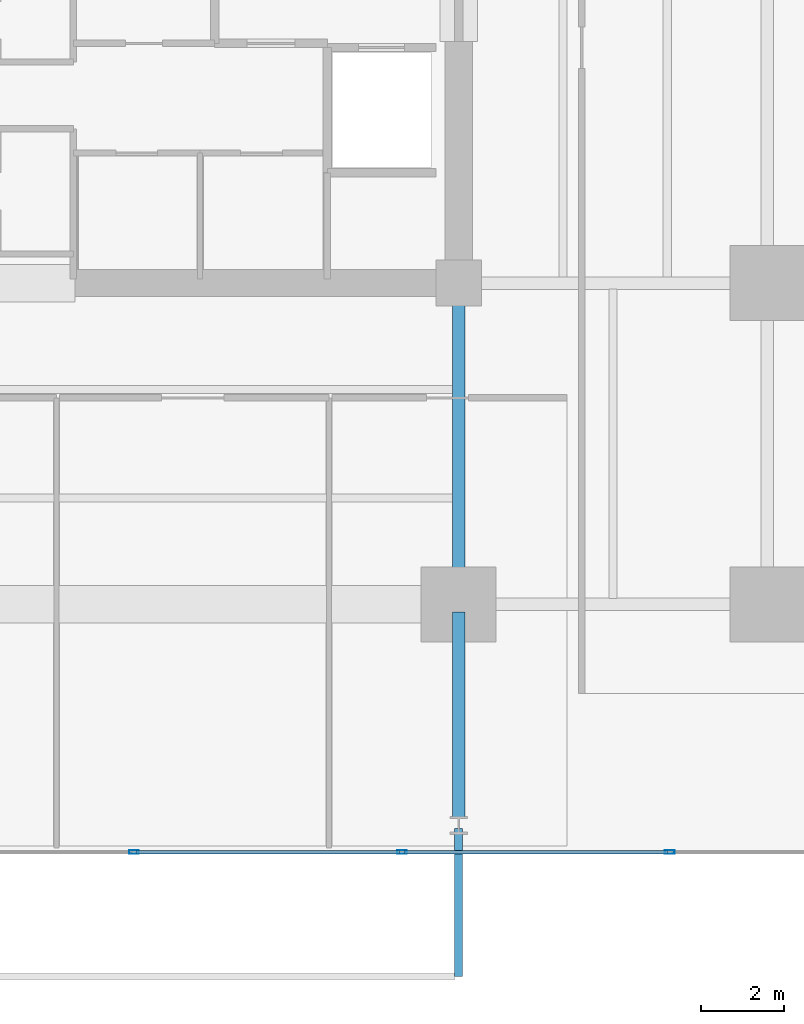
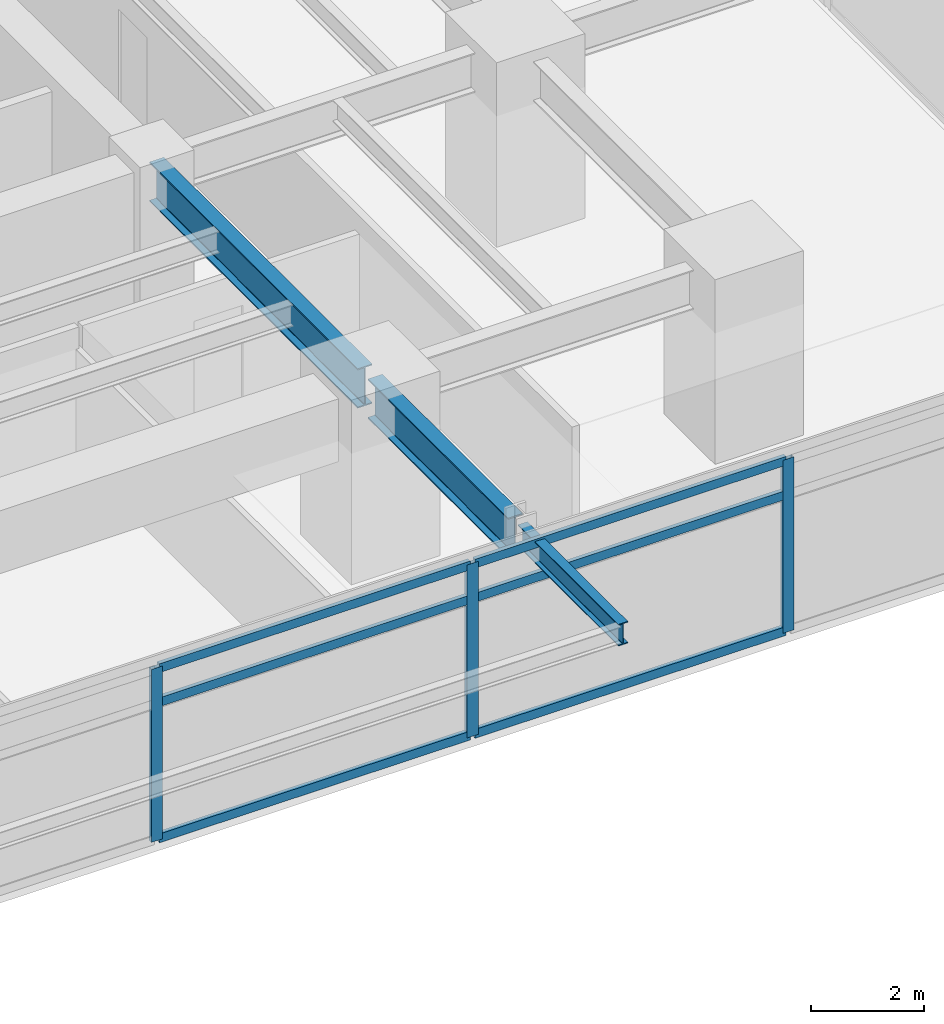
# One storey, part 5 of 19: 9 members, 3 beams, 1 element without a shape of its own.
"""IFC4 building model written with IfcOpenShell, lengths in metres."""

import ifcopenshell
import ifcopenshell.guid

model = None  # the IFC model being written
_history = None  # IfcOwnerHistory: only IFC2X3 demands one
_inside = {}  # id of a spatial element -> (the spatial element, [elements in it])
_under = {}  # id of a project, library or spatial element -> (it, [spatial elements below it])
_declared = {}  # id of a project -> (the project, [libraries it declares])
_typed = {}  # id of a type object -> (the type object, [elements of that type])
_made_of = {}  # id of a material, layer set ... -> (it, [elements and type objects made of it])


def new_model(schema):
    """Start an empty IFC model of exactly this schema.

    Asked for "IFC4X3", IfcOpenShell would pick the latest addendum, in which some entities
    have other attributes; the version numbers below select the first issue.
    IFC2X3 requires an IfcOwnerHistory on every rooted entity: one is made here for all.
    """
    global model, _history
    if schema == "IFC4X3":
        model = ifcopenshell.file(schema_version=(4, 3, 0, 0))
    else:
        model = ifcopenshell.file(schema=schema)
    _inside.clear()
    _under.clear()
    _declared.clear()
    _typed.clear()
    _made_of.clear()
    _history = None
    if model.schema == "IFC2X3":
        org = make("IfcOrganization", Name="unknown")
        user = make(
            "IfcPersonAndOrganization",
            ThePerson=make("IfcPerson", FamilyName="unknown"),
            TheOrganization=org,
        )
        app = make(
            "IfcApplication",
            ApplicationDeveloper=org,
            Version="unknown",
            ApplicationFullName="unknown",
            ApplicationIdentifier="unknown",
        )
        _history = make(
            "IfcOwnerHistory",
            OwningUser=user,
            OwningApplication=app,
            ChangeAction="ADDED",
            CreationDate=0,
        )
    return model


def make(cls, **values):
    """One entity of the class cls with the attributes given. An attribute that is None is left unset."""
    return model.create_entity(
        cls, **{name: value for name, value in values.items() if value is not None}
    )


def rooted(cls, **values):
    """An entity with a GlobalId (a new one), such as an element, a storey or a relation."""
    return make(cls, GlobalId=ifcopenshell.guid.new(), OwnerHistory=_history, **values)


def si_unit(unit_type, name, prefix=None):
    """IfcSIUnit, for example si_unit("LENGTHUNIT", "METRE", prefix="MILLI")."""
    return make("IfcSIUnit", UnitType=unit_type, Prefix=prefix, Name=name)


def assignment(units):
    """IfcUnitAssignment: the units of a project."""
    return None if units is None else make("IfcUnitAssignment", Units=units)


def point(xyz):
    """IfcCartesianPoint."""
    return None if xyz is None else make("IfcCartesianPoint", Coordinates=xyz)


def direction(xyz):
    """IfcDirection."""
    return None if xyz is None else make("IfcDirection", DirectionRatios=xyz)


def frame(location, z_axis=None, x_axis=None):
    """IfcAxis2Placement3D, a coordinate frame: its origin and axes. An axis left out is left unset."""
    return make(
        "IfcAxis2Placement3D",
        Location=point(location),
        Axis=direction(z_axis),
        RefDirection=direction(x_axis),
    )


def frame_2d(location, x_axis=None):
    """IfcAxis2Placement2D, a coordinate frame in the plane: its origin and x axis."""
    return make(
        "IfcAxis2Placement2D", Location=point(location), RefDirection=direction(x_axis)
    )


def origin():
    """The frame at (0, 0, 0) with its axes left unset."""
    return frame((0.0, 0.0, 0.0))


def origin_2d():
    """The frame at (0, 0) in the plane with its x axis left unset."""
    return frame_2d((0.0, 0.0))


def place(relative_to, where):
    """IfcLocalPlacement: puts the frame where relative to a parent placement (None: the world)."""
    return make(
        "IfcLocalPlacement", PlacementRelTo=relative_to, RelativePlacement=where
    )


def context(
    kind, dimensions, precision=None, world=None, true_north=None, identifier=None
):
    """IfcGeometricRepresentationContext, for example the 3D "Model" context."""
    return make(
        "IfcGeometricRepresentationContext",
        ContextIdentifier=identifier,
        ContextType=kind,
        CoordinateSpaceDimension=dimensions,
        Precision=precision,
        WorldCoordinateSystem=world,
        TrueNorth=true_north,
    )


def subcontext(parent, identifier, kind, view, scale=None):
    """IfcGeometricRepresentationSubContext, for example "Body" below "Model"."""
    return make(
        "IfcGeometricRepresentationSubContext",
        ContextIdentifier=identifier,
        ContextType=kind,
        ParentContext=parent,
        TargetScale=scale,
        TargetView=view,
    )


def project(units=None, contexts=None):
    """IfcProject with its units and contexts."""
    return rooted(
        "IfcProject",
        Name="project",
        RepresentationContexts=contexts,
        UnitsInContext=assignment(units),
    )


def spatial(cls, under=None, at=None, **own):
    """A site, building, storey or space (cls), placed at a placement, below another one or the project."""
    s = rooted(cls, ObjectPlacement=at, **own)
    if under is not None:
        _under.setdefault(under.id(), (under, []))[1].append(s)
    return s


def profile(cls, at=None, kind="AREA", **sizes):
    """A parametric profile (cls). Its sizes go by their IFC names, for example OverallWidth=200.0."""
    return make(cls, ProfileType=kind, Position=at, **sizes)


def hollow_rectangle(**sizes):
    """IfcRectangleHollowProfileDef."""
    return profile("IfcRectangleHollowProfileDef", **sizes)


def i_section(**sizes):
    """IfcIShapeProfileDef."""
    return profile("IfcIShapeProfileDef", **sizes)


def extrude(swept, where, along, depth):
    """IfcExtrudedAreaSolid: the profile swept, set in the frame where, extruded along a direction by depth."""
    return make(
        "IfcExtrudedAreaSolid",
        SweptArea=swept,
        Position=where,
        ExtrudedDirection=direction(along),
        Depth=depth,
    )


def shape(context_of_items, identifier, shape_type, items):
    """IfcShapeRepresentation: the items that make up one representation, for example the "Body"."""
    return make(
        "IfcShapeRepresentation",
        ContextOfItems=context_of_items,
        RepresentationIdentifier=identifier,
        RepresentationType=shape_type,
        Items=items,
    )


def material(Name=None, Category=None):
    """IfcMaterial."""
    return make("IfcMaterial", Name=Name, Category=Category)


def material_profile(
    of_material, cross_section, Name=None, Category=None, Priority=None
):
    """IfcMaterialProfile: a cross section and its material."""
    return make(
        "IfcMaterialProfile",
        Name=Name,
        Material=of_material,
        Profile=cross_section,
        Priority=Priority,
        Category=Category,
    )


def profile_set(profiles, Name=None, composite=None):
    """IfcMaterialProfileSet."""
    return make(
        "IfcMaterialProfileSet",
        Name=Name,
        MaterialProfiles=profiles,
        CompositeProfile=composite,
    )


def made_of(thing, what):
    """Note that an element or type object is made of a material, layer set ...; save() writes the relation."""
    if what is not None:
        _made_of.setdefault(what.id(), (what, []))[1].append(thing)
    return thing


def type_object(cls, material=None, **own):
    """A type object (cls), such as IfcWallType, which elements share."""
    return made_of(rooted(cls, **own), material)


def element(
    cls,
    number,
    at=None,
    inside=None,
    cuts=None,
    type_object=None,
    material=None,
    context=None,
    identifier="Body",
    shape_type=None,
    held_by="IfcProductDefinitionShape",
    body=None,
    shapes=None,
    **own,
):
    """One element of the class cls, such as IfcWall. Its Tag is "e" and its number.

    at: its placement. inside: the storey or other place that contains it. cuts: it is an
    opening in that element (IfcRelVoidsElement). A single representation is given by context,
    identifier, shape_type and body (its items); several are given by shapes. held_by: the class
    of the entity that holds the representations. save() writes the other relations.
    """
    e = rooted(cls, Tag="e%d" % number, ObjectPlacement=at, **own)
    if body is not None:
        shapes = [shape(context, identifier, shape_type, body)]
    if shapes is not None:
        e.Representation = make(held_by, Representations=shapes)
    if inside is not None:
        _inside.setdefault(inside.id(), (inside, []))[1].append(e)
    if cuts is not None:
        rooted(
            "IfcRelVoidsElement", RelatingBuildingElement=cuts, RelatedOpeningElement=e
        )
    if type_object is not None:
        _typed.setdefault(type_object.id(), (type_object, []))[1].append(e)
    return made_of(e, material)


def aggregate(whole, parts):
    """IfcRelAggregates: a whole, such as a stair, and the parts it consists of."""
    return rooted("IfcRelAggregates", RelatingObject=whole, RelatedObjects=parts)


def save(model, path):
    """Write the relations noted so far, then the file.

    IfcRelAggregates (storeys below a building ...), IfcRelContainedInSpatialStructure (elements
    in a storey), IfcRelDefinesByType, IfcRelAssociatesMaterial and IfcRelDeclares: one each for
    every whole, place, type object, material and project.
    """
    for whole, parts in _under.values():
        aggregate(whole, parts)
    for where, things in _inside.values():
        rooted(
            "IfcRelContainedInSpatialStructure",
            RelatedElements=things,
            RelatingStructure=where,
        )
    for kind, things in _typed.values():
        rooted("IfcRelDefinesByType", RelatedObjects=things, RelatingType=kind)
    for what, things in _made_of.values():
        rooted("IfcRelAssociatesMaterial", RelatedObjects=things, RelatingMaterial=what)
    for by, libraries in _declared.values():
        rooted("IfcRelDeclares", RelatingContext=by, RelatedDefinitions=libraries)
    model.write(path)


model = new_model("IFC4")

# Units and contexts
model_context = context("Model", 3, precision=1e-05, world=origin(), true_north=direction((0.0, 1.0)))
body_context = subcontext(model_context, "Body", "Model", "MODEL_VIEW")
ifc_project = project(units=[si_unit("LENGTHUNIT", "METRE"), si_unit("AREAUNIT", "SQUARE_METRE"), si_unit("VOLUMEUNIT", "CUBIC_METRE"), si_unit("PLANEANGLEUNIT", "RADIAN"), si_unit("MASSUNIT", "GRAM", prefix="KILO")], contexts=[model_context])

# Site, building, storey
site_placement = place(None, origin())
site = spatial("IfcSite", under=ifc_project, at=site_placement, CompositionType="ELEMENT")
building_placement = place(site_placement, origin())
building = spatial("IfcBuilding", under=site, at=building_placement, Name="Kovane Verandah Tower", CompositionType="ELEMENT")
storey_placement = place(building_placement, frame((0.0, 0.0, 83.60009765625)))
storey = spatial("IfcBuildingStorey", under=building, at=storey_placement, Name="L19", CompositionType="ELEMENT", Elevation=83.60009765625)

# Beams
ifc_material_1 = material(Name="Steel S355", Category="steel")
ifc_material_profile_1 = material_profile(ifc_material_1, i_section(OverallWidth=0.293701171875, OverallDepth=0.850830078125, WebThickness=0.01611328125, FlangeThickness=0.02685546875, FilletRadius=0.017822265625, at=origin_2d()), Name="UB838x292x226")
ifc_profile_set_1 = profile_set([ifc_material_profile_1], Name="Steel S355")
beam_type_1 = type_object("IfcBeamType", Name="BM-UB838x226", PredefinedType="BEAM", material=ifc_profile_set_1)
beam_1_placement = place(storey_placement, frame((51.0, 18.320068359375, 3.33447265625), z_axis=(0.0, -1.0, 0.0), x_axis=(1.0, 0.0, 0.0)))
element("IfcBeam", 1, at=beam_1_placement, inside=storey, type_object=beam_type_1, Name="L19 Primary Tower Girder G-S2", PredefinedType="BEAM", context=body_context, shape_type="SweptSolid", body=[
    extrude(i_section(OverallWidth=0.293701171875, OverallDepth=0.850830078125, WebThickness=0.01611328125, FlangeThickness=0.02685546875, FilletRadius=0.017822265625, at=origin_2d()), origin(), (0.0, 0.0, 1.0), 7.340087890625),
])
beam_2_placement = place(storey_placement, frame((51.0, 10.6201171875, 3.33447265625), z_axis=(0.0, -1.0, 0.0), x_axis=(1.0, 0.0, 0.0)))
element("IfcBeam", 2, at=beam_2_placement, inside=storey, type_object=beam_type_1, Name="L19 Primary Tower Girder G-VS2", PredefinedType="BEAM", context=body_context, shape_type="SweptSolid", body=[
    extrude(i_section(OverallWidth=0.293701171875, OverallDepth=0.850830078125, WebThickness=0.01611328125, FlangeThickness=0.02685546875, FilletRadius=0.017822265625, at=origin_2d()), origin(), (0.0, 0.0, 1.0), 4.940185546875),
])

# Curtain wall, members
ifc_material_2 = material(Name="Champagne Anodised Aluminium Frame with Low-E Clear Laminated Glass", Category="aluminium")
curtain_wall_type = type_object("IfcCurtainWallType", Name="CW-SYS-02-LOW", PredefinedType="NOTDEFINED", material=ifc_material_2)
curtain_wall_placement = place(storey_placement, origin())
curtain_wall = element("IfcCurtainWall", 3, at=curtain_wall_placement, inside=storey, type_object=curtain_wall_type, Name="L19 S Unitised Curtain Wall", PredefinedType="NOTDEFINED")
ifc_material_3 = material(Name="Champagne Anodised Aluminium 6063-T6", Category="aluminium")
ifc_material_profile_2 = material_profile(ifc_material_3, hollow_rectangle(XDim=0.0849609375, YDim=0.22998046875, WallThickness=0.00390625, at=origin_2d()), Name="AL85x230x4")
ifc_profile_set_2 = profile_set([ifc_material_profile_2], Name="Champagne Anodised Aluminium 6063-T6")
member_type_1 = type_object("IfcMemberType", Name="CW-MUL-85x230", PredefinedType="MULLION", material=ifc_profile_set_2)
member_1_placement = place(storey_placement, frame((43.212158203125, 4.86083984375, 0.02001953125), z_axis=(0.0, 0.0, 1.0), x_axis=(0.0, -1.0, 0.0)))
member_1 = element("IfcMember", 4, at=member_1_placement, type_object=member_type_1, Name="L19 S Unitised Curtain Wall Mullion 5", PredefinedType="MULLION", context=body_context, shape_type="SweptSolid", body=[
    extrude(hollow_rectangle(XDim=0.0849609375, YDim=0.22998046875, WallThickness=0.00390625, at=origin_2d()), origin(), (0.0, 0.0, 1.0), 3.719970703125),
])
member_2_placement = place(storey_placement, frame((49.63623046875, 4.86083984375, 0.02001953125), z_axis=(0.0, 0.0, 1.0), x_axis=(0.0, -1.0, 0.0)))
member_2 = element("IfcMember", 5, at=member_2_placement, type_object=member_type_1, Name="L19 S Unitised Curtain Wall Mullion 6", PredefinedType="MULLION", context=body_context, shape_type="SweptSolid", body=[
    extrude(hollow_rectangle(XDim=0.0849609375, YDim=0.22998046875, WallThickness=0.00390625, at=origin_2d()), origin(), (0.0, 0.0, 1.0), 3.719970703125),
])
member_3_placement = place(storey_placement, frame((56.060302734375, 4.86083984375, 0.02001953125), z_axis=(0.0, 0.0, 1.0), x_axis=(0.0, -1.0, 0.0)))
member_3 = element("IfcMember", 6, at=member_3_placement, type_object=member_type_1, Name="L19 S Unitised Curtain Wall Mullion 7", PredefinedType="MULLION", context=body_context, shape_type="SweptSolid", body=[
    extrude(hollow_rectangle(XDim=0.0849609375, YDim=0.22998046875, WallThickness=0.00390625, at=origin_2d()), origin(), (0.0, 0.0, 1.0), 3.719970703125),
])
ifc_material_profile_3 = material_profile(ifc_material_3, hollow_rectangle(XDim=0.0849609375, YDim=0.18994140625, WallThickness=0.00390625, at=origin_2d()), Name="AL85x190x4")
ifc_profile_set_3 = profile_set([ifc_material_profile_3], Name="Champagne Anodised Aluminium 6063-T6")
member_type_2 = type_object("IfcMemberType", Name="CW-TRN-85x190", PredefinedType="USERDEFINED", material=ifc_profile_set_3)
member_4_placement = place(storey_placement, frame((43.26220703125, 4.86083984375, 0.0498046875), z_axis=(1.0, 0.0, 0.0), x_axis=(0.0, 1.0, 0.0)))
member_4 = element("IfcMember", 7, at=member_4_placement, type_object=member_type_2, Name="L19 S Unitised Curtain Wall Transom TB Bay 5", ObjectType="TRANSOM", PredefinedType="USERDEFINED", context=body_context, shape_type="SweptSolid", body=[
    extrude(hollow_rectangle(XDim=0.0849609375, YDim=0.18994140625, WallThickness=0.00390625, at=origin_2d()), origin(), (0.0, 0.0, 1.0), 6.323974609375),
])
member_5_placement = place(storey_placement, frame((43.26220703125, 4.86083984375, 2.97998046875), z_axis=(1.0, 0.0, 0.0), x_axis=(0.0, 1.0, 0.0)))
member_5 = element("IfcMember", 8, at=member_5_placement, type_object=member_type_2, Name="L19 S Unitised Curtain Wall Transom TM Bay 5", ObjectType="TRANSOM", PredefinedType="USERDEFINED", context=body_context, shape_type="SweptSolid", body=[
    extrude(hollow_rectangle(XDim=0.0849609375, YDim=0.18994140625, WallThickness=0.00390625, at=origin_2d()), origin(), (0.0, 0.0, 1.0), 6.323974609375),
])
member_6_placement = place(storey_placement, frame((43.26220703125, 4.86083984375, 3.7099609375), z_axis=(1.0, 0.0, 0.0), x_axis=(0.0, 1.0, 0.0)))
member_6 = element("IfcMember", 9, at=member_6_placement, type_object=member_type_2, Name="L19 S Unitised Curtain Wall Transom TT Bay 5", ObjectType="TRANSOM", PredefinedType="USERDEFINED", context=body_context, shape_type="SweptSolid", body=[
    extrude(hollow_rectangle(XDim=0.0849609375, YDim=0.18994140625, WallThickness=0.00390625, at=origin_2d()), origin(), (0.0, 0.0, 1.0), 6.323974609375),
])
member_7_placement = place(storey_placement, frame((49.686279296875, 4.86083984375, 0.0498046875), z_axis=(1.0, 0.0, 0.0), x_axis=(0.0, 1.0, 0.0)))
member_7 = element("IfcMember", 10, at=member_7_placement, type_object=member_type_2, Name="L19 S Unitised Curtain Wall Transom TB Bay 6", ObjectType="TRANSOM", PredefinedType="USERDEFINED", context=body_context, shape_type="SweptSolid", body=[
    extrude(hollow_rectangle(XDim=0.0849609375, YDim=0.18994140625, WallThickness=0.00390625, at=origin_2d()), origin(), (0.0, 0.0, 1.0), 6.32421875),
])
member_8_placement = place(storey_placement, frame((49.686279296875, 4.86083984375, 2.97998046875), z_axis=(1.0, 0.0, 0.0), x_axis=(0.0, 1.0, 0.0)))
member_8 = element("IfcMember", 11, at=member_8_placement, type_object=member_type_2, Name="L19 S Unitised Curtain Wall Transom TM Bay 6", ObjectType="TRANSOM", PredefinedType="USERDEFINED", context=body_context, shape_type="SweptSolid", body=[
    extrude(hollow_rectangle(XDim=0.0849609375, YDim=0.18994140625, WallThickness=0.00390625, at=origin_2d()), origin(), (0.0, 0.0, 1.0), 6.32421875),
])
member_9_placement = place(storey_placement, frame((49.686279296875, 4.86083984375, 3.7099609375), z_axis=(1.0, 0.0, 0.0), x_axis=(0.0, 1.0, 0.0)))
member_9 = element("IfcMember", 12, at=member_9_placement, type_object=member_type_2, Name="L19 S Unitised Curtain Wall Transom TT Bay 6", ObjectType="TRANSOM", PredefinedType="USERDEFINED", context=body_context, shape_type="SweptSolid", body=[
    extrude(hollow_rectangle(XDim=0.0849609375, YDim=0.18994140625, WallThickness=0.00390625, at=origin_2d()), origin(), (0.0, 0.0, 1.0), 6.32421875),
])
aggregate(curtain_wall, [member_1, member_2, member_3, member_4, member_5, member_6, member_7, member_8, member_9])

# Beam
ifc_material_profile_4 = material_profile(ifc_material_1, i_section(OverallWidth=0.19287109375, OverallDepth=0.46728515625, WebThickness=0.011474609375, FlangeThickness=0.01953125, FilletRadius=0.01025390625, at=origin_2d()), Name="UB457x191x98")
ifc_profile_set_4 = profile_set([ifc_material_profile_4], Name="Steel S355")
beam_type_2 = type_object("IfcBeamType", Name="JST-UB457x98", PredefinedType="JOIST", material=ifc_profile_set_4)
beam_3_placement = place(storey_placement, frame((51.0, 5.419921875, 3.5263671875), z_axis=(0.0, -1.0, 0.0), x_axis=(1.0, 0.0, 0.0)))
element("IfcBeam", 13, at=beam_3_placement, inside=storey, type_object=beam_type_2, Name="L19 South Planter Girder 2", PredefinedType="JOIST", context=body_context, shape_type="SweptSolid", body=[
    extrude(i_section(OverallWidth=0.19287109375, OverallDepth=0.46728515625, WebThickness=0.011474609375, FlangeThickness=0.01953125, FilletRadius=0.01025390625, at=origin_2d()), origin(), (0.0, 0.0, 1.0), 3.540771484375),
])

save(model, "model.ifc")
